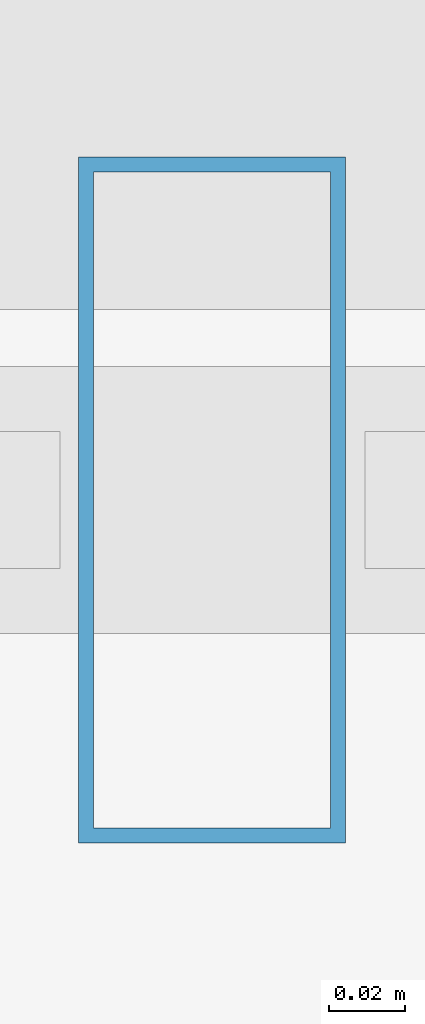
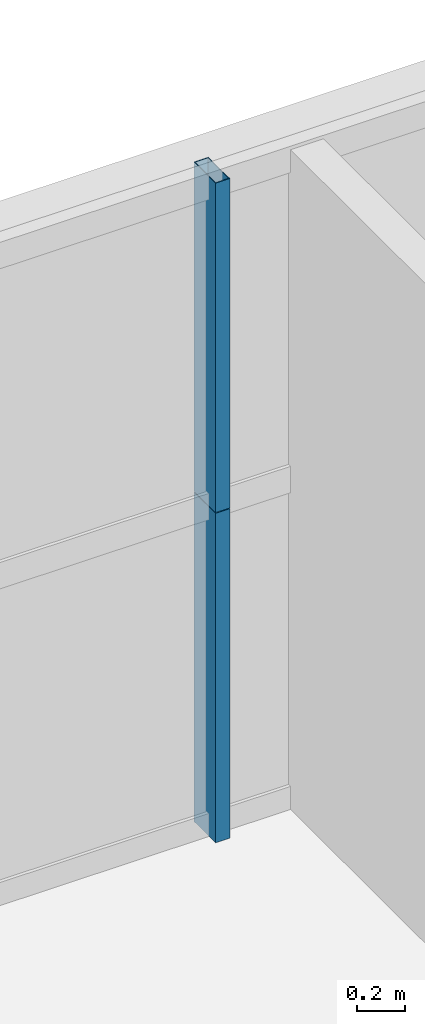
# One storey, part 28 of 43: 2 members, 1 element without a shape of its own.
"""IFC4 building model written with IfcOpenShell, lengths in metres."""

import ifcopenshell
import ifcopenshell.guid

model = None  # the IFC model being written
_history = None  # IfcOwnerHistory: only IFC2X3 demands one
_inside = {}  # id of a spatial element -> (the spatial element, [elements in it])
_under = {}  # id of a project, library or spatial element -> (it, [spatial elements below it])
_declared = {}  # id of a project -> (the project, [libraries it declares])
_typed = {}  # id of a type object -> (the type object, [elements of that type])
_made_of = {}  # id of a material, layer set ... -> (it, [elements and type objects made of it])


def new_model(schema):
    """Start an empty IFC model of exactly this schema.

    Asked for "IFC4X3", IfcOpenShell would pick the latest addendum, in which some entities
    have other attributes; the version numbers below select the first issue.
    IFC2X3 requires an IfcOwnerHistory on every rooted entity: one is made here for all.
    """
    global model, _history
    if schema == "IFC4X3":
        model = ifcopenshell.file(schema_version=(4, 3, 0, 0))
    else:
        model = ifcopenshell.file(schema=schema)
    _inside.clear()
    _under.clear()
    _declared.clear()
    _typed.clear()
    _made_of.clear()
    _history = None
    if model.schema == "IFC2X3":
        org = make("IfcOrganization", Name="unknown")
        user = make(
            "IfcPersonAndOrganization",
            ThePerson=make("IfcPerson", FamilyName="unknown"),
            TheOrganization=org,
        )
        app = make(
            "IfcApplication",
            ApplicationDeveloper=org,
            Version="unknown",
            ApplicationFullName="unknown",
            ApplicationIdentifier="unknown",
        )
        _history = make(
            "IfcOwnerHistory",
            OwningUser=user,
            OwningApplication=app,
            ChangeAction="ADDED",
            CreationDate=0,
        )
    return model


def make(cls, **values):
    """One entity of the class cls with the attributes given. An attribute that is None is left unset."""
    return model.create_entity(
        cls, **{name: value for name, value in values.items() if value is not None}
    )


def rooted(cls, **values):
    """An entity with a GlobalId (a new one), such as an element, a storey or a relation."""
    return make(cls, GlobalId=ifcopenshell.guid.new(), OwnerHistory=_history, **values)


def si_unit(unit_type, name, prefix=None):
    """IfcSIUnit, for example si_unit("LENGTHUNIT", "METRE", prefix="MILLI")."""
    return make("IfcSIUnit", UnitType=unit_type, Prefix=prefix, Name=name)


def assignment(units):
    """IfcUnitAssignment: the units of a project."""
    return None if units is None else make("IfcUnitAssignment", Units=units)


def point(xyz):
    """IfcCartesianPoint."""
    return None if xyz is None else make("IfcCartesianPoint", Coordinates=xyz)


def direction(xyz):
    """IfcDirection."""
    return None if xyz is None else make("IfcDirection", DirectionRatios=xyz)


def frame(location, z_axis=None, x_axis=None):
    """IfcAxis2Placement3D, a coordinate frame: its origin and axes. An axis left out is left unset."""
    return make(
        "IfcAxis2Placement3D",
        Location=point(location),
        Axis=direction(z_axis),
        RefDirection=direction(x_axis),
    )


def frame_2d(location, x_axis=None):
    """IfcAxis2Placement2D, a coordinate frame in the plane: its origin and x axis."""
    return make(
        "IfcAxis2Placement2D", Location=point(location), RefDirection=direction(x_axis)
    )


def origin():
    """The frame at (0, 0, 0) with its axes left unset."""
    return frame((0.0, 0.0, 0.0))


def origin_2d():
    """The frame at (0, 0) in the plane with its x axis left unset."""
    return frame_2d((0.0, 0.0))


def place(relative_to, where):
    """IfcLocalPlacement: puts the frame where relative to a parent placement (None: the world)."""
    return make(
        "IfcLocalPlacement", PlacementRelTo=relative_to, RelativePlacement=where
    )


def context(
    kind, dimensions, precision=None, world=None, true_north=None, identifier=None
):
    """IfcGeometricRepresentationContext, for example the 3D "Model" context."""
    return make(
        "IfcGeometricRepresentationContext",
        ContextIdentifier=identifier,
        ContextType=kind,
        CoordinateSpaceDimension=dimensions,
        Precision=precision,
        WorldCoordinateSystem=world,
        TrueNorth=true_north,
    )


def subcontext(parent, identifier, kind, view, scale=None):
    """IfcGeometricRepresentationSubContext, for example "Body" below "Model"."""
    return make(
        "IfcGeometricRepresentationSubContext",
        ContextIdentifier=identifier,
        ContextType=kind,
        ParentContext=parent,
        TargetScale=scale,
        TargetView=view,
    )


def project(units=None, contexts=None):
    """IfcProject with its units and contexts."""
    return rooted(
        "IfcProject",
        Name="project",
        RepresentationContexts=contexts,
        UnitsInContext=assignment(units),
    )


def spatial(cls, under=None, at=None, **own):
    """A site, building, storey or space (cls), placed at a placement, below another one or the project."""
    s = rooted(cls, ObjectPlacement=at, **own)
    if under is not None:
        _under.setdefault(under.id(), (under, []))[1].append(s)
    return s


def profile(cls, at=None, kind="AREA", **sizes):
    """A parametric profile (cls). Its sizes go by their IFC names, for example OverallWidth=200.0."""
    return make(cls, ProfileType=kind, Position=at, **sizes)


def hollow_rectangle(**sizes):
    """IfcRectangleHollowProfileDef."""
    return profile("IfcRectangleHollowProfileDef", **sizes)


def extrude(swept, where, along, depth):
    """IfcExtrudedAreaSolid: the profile swept, set in the frame where, extruded along a direction by depth."""
    return make(
        "IfcExtrudedAreaSolid",
        SweptArea=swept,
        Position=where,
        ExtrudedDirection=direction(along),
        Depth=depth,
    )


def shape(context_of_items, identifier, shape_type, items):
    """IfcShapeRepresentation: the items that make up one representation, for example the "Body"."""
    return make(
        "IfcShapeRepresentation",
        ContextOfItems=context_of_items,
        RepresentationIdentifier=identifier,
        RepresentationType=shape_type,
        Items=items,
    )


def source(mapping_origin, context_of_items, identifier, shape_type, items):
    """IfcRepresentationMap: a shape defined once, which mapped items show again and again."""
    return make(
        "IfcRepresentationMap",
        MappingOrigin=mapping_origin,
        MappedRepresentation=shape(context_of_items, identifier, shape_type, items),
    )


def transform(
    local_origin,
    x_axis=None,
    y_axis=None,
    z_axis=None,
    scale=None,
    scale2=None,
    scale3=None,
    uniform=True,
):
    """IfcCartesianTransformationOperator3D, or its non-uniform kind. x_axis, y_axis, z_axis: its Axis1, 2, 3."""
    if uniform:
        return make(
            "IfcCartesianTransformationOperator3D",
            Axis1=direction(x_axis),
            Axis2=direction(y_axis),
            LocalOrigin=point(local_origin),
            Scale=scale,
            Axis3=direction(z_axis),
        )
    return make(
        "IfcCartesianTransformationOperator3DnonUniform",
        Axis1=direction(x_axis),
        Axis2=direction(y_axis),
        LocalOrigin=point(local_origin),
        Scale=scale,
        Axis3=direction(z_axis),
        Scale2=scale2,
        Scale3=scale3,
    )


def mapped(mapping_source, mapping_target):
    """IfcMappedItem: shows the shape of a source again, moved by a transform."""
    return make(
        "IfcMappedItem", MappingSource=mapping_source, MappingTarget=mapping_target
    )


def material(Name=None, Category=None):
    """IfcMaterial."""
    return make("IfcMaterial", Name=Name, Category=Category)


def layer(
    of_material, thickness, ventilated=None, Name=None, Category=None, Priority=None
):
    """IfcMaterialLayer: one layer of a wall or slab, of a material (None: an air gap)."""
    return make(
        "IfcMaterialLayer",
        Material=of_material,
        LayerThickness=thickness,
        IsVentilated=ventilated,
        Name=Name,
        Category=Category,
        Priority=Priority,
    )


def layer_set(layers, Name=None):
    """IfcMaterialLayerSet."""
    return make("IfcMaterialLayerSet", MaterialLayers=layers, LayerSetName=Name)


def material_profile(
    of_material, cross_section, Name=None, Category=None, Priority=None
):
    """IfcMaterialProfile: a cross section and its material."""
    return make(
        "IfcMaterialProfile",
        Name=Name,
        Material=of_material,
        Profile=cross_section,
        Priority=Priority,
        Category=Category,
    )


def profile_set(profiles, Name=None, composite=None):
    """IfcMaterialProfileSet."""
    return make(
        "IfcMaterialProfileSet",
        Name=Name,
        MaterialProfiles=profiles,
        CompositeProfile=composite,
    )


def made_of(thing, what):
    """Note that an element or type object is made of a material, layer set ...; save() writes the relation."""
    if what is not None:
        _made_of.setdefault(what.id(), (what, []))[1].append(thing)
    return thing


def type_object(cls, material=None, **own):
    """A type object (cls), such as IfcWallType, which elements share."""
    return made_of(rooted(cls, **own), material)


def element(
    cls,
    number,
    at=None,
    inside=None,
    cuts=None,
    type_object=None,
    material=None,
    context=None,
    identifier="Body",
    shape_type=None,
    held_by="IfcProductDefinitionShape",
    body=None,
    shapes=None,
    **own,
):
    """One element of the class cls, such as IfcWall. Its Tag is "e" and its number.

    at: its placement. inside: the storey or other place that contains it. cuts: it is an
    opening in that element (IfcRelVoidsElement). A single representation is given by context,
    identifier, shape_type and body (its items); several are given by shapes. held_by: the class
    of the entity that holds the representations. save() writes the other relations.
    """
    e = rooted(cls, Tag="e%d" % number, ObjectPlacement=at, **own)
    if body is not None:
        shapes = [shape(context, identifier, shape_type, body)]
    if shapes is not None:
        e.Representation = make(held_by, Representations=shapes)
    if inside is not None:
        _inside.setdefault(inside.id(), (inside, []))[1].append(e)
    if cuts is not None:
        rooted(
            "IfcRelVoidsElement", RelatingBuildingElement=cuts, RelatedOpeningElement=e
        )
    if type_object is not None:
        _typed.setdefault(type_object.id(), (type_object, []))[1].append(e)
    return made_of(e, material)


def aggregate(whole, parts):
    """IfcRelAggregates: a whole, such as a stair, and the parts it consists of."""
    return rooted("IfcRelAggregates", RelatingObject=whole, RelatedObjects=parts)


def save(model, path):
    """Write the relations noted so far, then the file.

    IfcRelAggregates (storeys below a building ...), IfcRelContainedInSpatialStructure (elements
    in a storey), IfcRelDefinesByType, IfcRelAssociatesMaterial and IfcRelDeclares: one each for
    every whole, place, type object, material and project.
    """
    for whole, parts in _under.values():
        aggregate(whole, parts)
    for where, things in _inside.values():
        rooted(
            "IfcRelContainedInSpatialStructure",
            RelatedElements=things,
            RelatingStructure=where,
        )
    for kind, things in _typed.values():
        rooted("IfcRelDefinesByType", RelatedObjects=things, RelatingType=kind)
    for what, things in _made_of.values():
        rooted("IfcRelAssociatesMaterial", RelatedObjects=things, RelatingMaterial=what)
    for by, libraries in _declared.values():
        rooted("IfcRelDeclares", RelatingContext=by, RelatedDefinitions=libraries)
    model.write(path)


model = new_model("IFC4")

# Units and contexts
model_context = context("Model", 3, precision=1e-05, world=origin(), true_north=direction((0.0, 1.0)))
body_context = subcontext(model_context, "Body", "Model", "MODEL_VIEW")
ifc_project = project(units=[si_unit("LENGTHUNIT", "METRE"), si_unit("AREAUNIT", "SQUARE_METRE"), si_unit("VOLUMEUNIT", "CUBIC_METRE"), si_unit("PLANEANGLEUNIT", "RADIAN"), si_unit("MASSUNIT", "GRAM", prefix="KILO"), si_unit("THERMODYNAMICTEMPERATUREUNIT", "KELVIN"), si_unit("POWERUNIT", "WATT")], contexts=[model_context])

# Site, building, storey
site_placement = place(None, origin())
site = spatial("IfcSite", under=ifc_project, at=site_placement, CompositionType="ELEMENT")
building_placement = place(site_placement, origin())
building = spatial("IfcBuilding", under=site, at=building_placement, Name="Yuzanri Waterfront Tower", CompositionType="ELEMENT")
storey_placement = place(building_placement, frame((0.0, 0.0, 46.0)))
storey = spatial("IfcBuildingStorey", under=building, at=storey_placement, Name="L11", CompositionType="ELEMENT", Elevation=46.0)

# Curtain wall, members
ifc_material_1 = material(Name="Anodized Architectural Bronze", Category="metal")
ifc_layer = layer(ifc_material_1, 0.159912109375)
ifc_layer_set = layer_set([ifc_layer], Name="Anodized Architectural Bronze")
curtain_wall_type = type_object("IfcCurtainWallType", Name="Anodized Bronze Hotel Lower-Tier Recessed Unitized Curtain Wall 8100", PredefinedType="NOTDEFINED", material=ifc_layer_set)
curtain_wall_placement = place(storey_placement, origin())
curtain_wall = element("IfcCurtainWall", 1, at=curtain_wall_placement, inside=storey, type_object=curtain_wall_type, Name="L11 Curtain Wall CW-L11-NL", PredefinedType="NOTDEFINED")
ifc_material_2 = material(Name="Anodized Architectural Bronze", Category="metal")
ifc_material_profile = material_profile(ifc_material_2, hollow_rectangle(XDim=0.070068359375, YDim=0.179931640625, WallThickness=0.00390625, at=origin_2d()), Name="CWM 70x180")
ifc_profile_set = profile_set([ifc_material_profile], Name="Anodized Architectural Bronze")
member_type = type_object("IfcMemberType", Name="Anodized Bronze Standard Curtain-Wall Mullion 70x180", PredefinedType="MULLION", material=ifc_profile_set)
shared_shape = source(origin(), body_context, "Body", "SweptSolid", [
    extrude(hollow_rectangle(XDim=0.070068359375, YDim=0.179931640625, WallThickness=0.00390625, at=origin_2d()), origin(), (0.0, 0.0, 1.0), 1.68798828125),
])
member_1_placement = place(storey_placement, frame((27.89990234375, 50.75, 0.0), z_axis=(0.0, 0.0, 1.0), x_axis=(1.0, 0.0, 0.0)))
member_1 = element("IfcMember", 2, at=member_1_placement, type_object=member_type, Name="CW-L11-NL Lower Mullion 01", PredefinedType="MULLION", context=body_context, shape_type="MappedRepresentation", body=[
    mapped(shared_shape, transform((0.0, 0.0, 0.0), scale=1.0)),
])
member_2_placement = place(storey_placement, frame((27.89990234375, 50.75, 1.69189453125), z_axis=(0.0, 0.0, 1.0), x_axis=(1.0, 0.0, 0.0)))
member_2 = element("IfcMember", 3, at=member_2_placement, type_object=member_type, Name="CW-L11-NL Upper Mullion 01", PredefinedType="MULLION", context=body_context, shape_type="MappedRepresentation", body=[
    mapped(shared_shape, transform((0.0, 0.0, 0.0), scale=1.0)),
])
aggregate(curtain_wall, [member_1, member_2])

save(model, "model.ifc")
